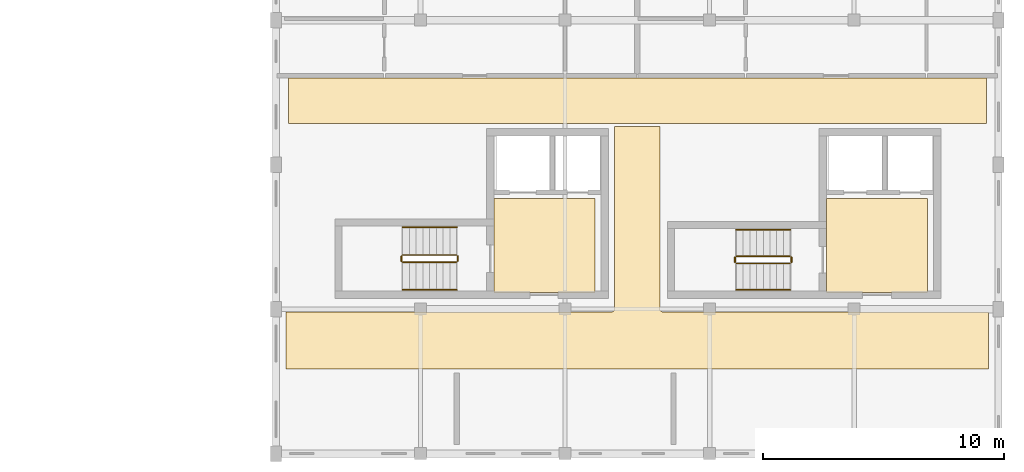
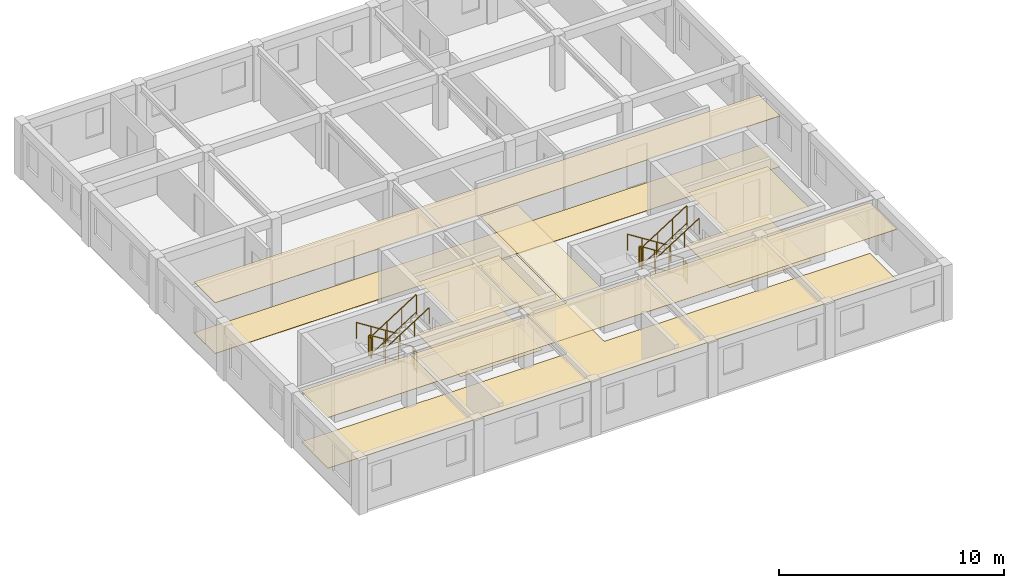
# One storey, part 13 of 13: 12 railings, 8 coverings.
"""IFC4 building model written with IfcOpenShell, lengths in metres."""

from ifc_helpers import new_model, si_unit, direction, frame, origin, origin_2d, place, context, subcontext, project, spatial, polyline, circle, outline, extrude, material, layer, layer_set, type_object, element, save


model = new_model("IFC4")

# Units and contexts
model_context = context("Model", 3, precision=1e-05, world=origin(), true_north=direction((0.0, 1.0)))
body_context = subcontext(model_context, "Body", "Model", "MODEL_VIEW")
ifc_project = project(units=[si_unit("LENGTHUNIT", "METRE"), si_unit("AREAUNIT", "SQUARE_METRE"), si_unit("VOLUMEUNIT", "CUBIC_METRE"), si_unit("PLANEANGLEUNIT", "RADIAN"), si_unit("MASSUNIT", "GRAM", prefix="KILO"), si_unit("POWERUNIT", "WATT"), si_unit("THERMODYNAMICTEMPERATUREUNIT", "KELVIN")], contexts=[model_context])

# Site, building, storey
site_placement = place(None, origin())
site = spatial("IfcSite", under=ifc_project, at=site_placement, CompositionType="ELEMENT")
building_placement = place(site_placement, origin())
building = spatial("IfcBuilding", under=site, at=building_placement, Name="Ruvembo Vaulted Housing Court", CompositionType="ELEMENT")
storey_placement = place(building_placement, frame((0.0, 0.0, 33.300048828125)))
storey = spatial("IfcBuildingStorey", under=building, at=storey_placement, Name="L10", CompositionType="ELEMENT", Elevation=33.300048828125)

# Coverings
ifc_material_1 = material(Name="Perforated Mineral-Fibre Acoustic Tile", Category="gypsum")
ifc_layer_1 = layer(ifc_material_1, 0.02001953125, Name="Perforated Mineral-Fibre Acoustic Tile")
ifc_layer_set_1 = layer_set([ifc_layer_1], Name="Perforated Mineral-Fibre Acoustic Tile")
covering_type_1 = type_object("IfcCoveringType", Name="COV-CEIL-ACOUST", PredefinedType="CEILING", material=ifc_layer_set_1)
covering_1_placement = place(storey_placement, frame((0.0, 0.0, 2.75)))
element("IfcCovering", 1, at=covering_1_placement, inside=storey, type_object=covering_type_1, Name="Protected Core Lobby B1 Ceiling", PredefinedType="CEILING", context=body_context, shape_type="SweptSolid", body=[
    extrude(outline(polyline([(61.25, 94.60009765625), (57.050048828125, 94.60009765625), (57.050048828125, 90.699951171875), (61.25, 90.699951171875), (61.25, 94.60009765625)])), origin(), (0.0, 0.0, 1.0), 0.02001953125),
])
covering_2_placement = place(storey_placement, frame((0.0, 0.0, 2.75)))
element("IfcCovering", 2, at=covering_2_placement, inside=storey, type_object=covering_type_1, Name="Protected Core Lobby B2 Ceiling", PredefinedType="CEILING", context=body_context, shape_type="SweptSolid", body=[
    extrude(outline(polyline([(75.050048828125, 94.60009765625), (70.85009765625, 94.60009765625), (70.85009765625, 90.699951171875), (75.050048828125, 90.699951171875), (75.050048828125, 94.60009765625)])), origin(), (0.0, 0.0, 1.0), 0.02001953125),
])
covering_3_placement = place(storey_placement, frame((0.0, 0.0, 2.75)))
element("IfcCovering", 3, at=covering_3_placement, inside=storey, type_object=covering_type_1, Name="Block B L10 Corridor Ceiling", PredefinedType="CEILING", context=body_context, shape_type="SweptSolid", body=[
    extrude(outline(polyline([(77.590087890625, 87.510009765625), (77.590087890625, 89.889892578125), (64.050048828125, 89.889892578125), (64.039306640625, 89.890380859375), (64.028564453125, 89.89208984375), (64.01806640625, 89.894775390625), (64.0078125, 89.8984375), (63.998046875, 89.903076171875), (63.989013671875, 89.908447265625), (63.980224609375, 89.9150390625), (63.97216796875, 89.922119140625), (63.965087890625, 89.93017578125), (63.95849609375, 89.93896484375), (63.952880859375, 89.947998046875), (63.948486328125, 89.9580078125), (63.944580078125, 89.968017578125), (63.942138671875, 89.978515625), (63.9404296875, 89.9892578125), (63.93994140625, 90.0), (63.93994140625, 97.590087890625), (62.06005859375, 97.590087890625), (62.06005859375, 90.0), (62.0595703125, 89.9892578125), (62.057861328125, 89.978515625), (62.055419921875, 89.968017578125), (62.051513671875, 89.9580078125), (62.047119140625, 89.947998046875), (62.04150390625, 89.93896484375), (62.034912109375, 89.93017578125), (62.02783203125, 89.922119140625), (62.019775390625, 89.9150390625), (62.010986328125, 89.908447265625), (62.001953125, 89.903076171875), (61.9921875, 89.8984375), (61.98193359375, 89.894775390625), (61.971435546875, 89.89208984375), (61.960693359375, 89.890380859375), (61.949951171875, 89.889892578125), (48.409912109375, 89.889892578125), (48.409912109375, 87.510009765625), (77.590087890625, 87.510009765625)])), origin(), (0.0, 0.0, 1.0), 0.02001953125),
])
covering_4_placement = place(storey_placement, frame((0.0, 0.0, 2.75)))
element("IfcCovering", 4, at=covering_4_placement, inside=storey, type_object=covering_type_1, Name="Block B L10 North Sub-Corridor Ceiling", PredefinedType="CEILING", context=body_context, shape_type="SweptSolid", body=[
    extrude(outline(polyline([(48.510009765625, 97.7099609375), (77.489990234375, 97.7099609375), (77.489990234375, 99.590087890625), (48.510009765625, 99.590087890625), (48.510009765625, 97.7099609375)])), origin(), (0.0, 0.0, 1.0), 0.02001953125),
])
ifc_material_2 = material(Name="Polished Cement-Aggregate Terrazzo", Category="stone")
ifc_layer_2 = layer(ifc_material_2, 0.02197265625, Name="Polished Cement-Aggregate Terrazzo")
ifc_layer_set_2 = layer_set([ifc_layer_2], Name="Polished Cement-Aggregate Terrazzo")
covering_type_2 = type_object("IfcCoveringType", Name="COV-FLR-CERAMIC", PredefinedType="FLOORING", material=ifc_layer_set_2)
covering_5_placement = place(storey_placement, origin())
element("IfcCovering", 5, at=covering_5_placement, inside=storey, type_object=covering_type_2, Name="Protected Core Lobby B1 Flooring", PredefinedType="FLOORING", context=body_context, shape_type="SweptSolid", body=[
    extrude(outline(polyline([(61.25, 94.60009765625), (57.050048828125, 94.60009765625), (57.050048828125, 90.699951171875), (61.25, 90.699951171875), (61.25, 94.60009765625)])), origin(), (0.0, 0.0, 1.0), 0.02197265625),
])
covering_6_placement = place(storey_placement, origin())
element("IfcCovering", 6, at=covering_6_placement, inside=storey, type_object=covering_type_2, Name="Protected Core Lobby B2 Flooring", PredefinedType="FLOORING", context=body_context, shape_type="SweptSolid", body=[
    extrude(outline(polyline([(75.050048828125, 94.60009765625), (70.85009765625, 94.60009765625), (70.85009765625, 90.699951171875), (75.050048828125, 90.699951171875), (75.050048828125, 94.60009765625)])), origin(), (0.0, 0.0, 1.0), 0.02197265625),
])
covering_7_placement = place(storey_placement, origin())
element("IfcCovering", 7, at=covering_7_placement, inside=storey, type_object=covering_type_2, Name="Block B L10 Corridor Flooring", PredefinedType="FLOORING", context=body_context, shape_type="SweptSolid", body=[
    extrude(outline(polyline([(77.590087890625, 87.510009765625), (77.590087890625, 89.889892578125), (64.050048828125, 89.889892578125), (64.039306640625, 89.890380859375), (64.028564453125, 89.89208984375), (64.01806640625, 89.894775390625), (64.0078125, 89.8984375), (63.998046875, 89.903076171875), (63.989013671875, 89.908447265625), (63.980224609375, 89.9150390625), (63.97216796875, 89.922119140625), (63.965087890625, 89.93017578125), (63.95849609375, 89.93896484375), (63.952880859375, 89.947998046875), (63.948486328125, 89.9580078125), (63.944580078125, 89.968017578125), (63.942138671875, 89.978515625), (63.9404296875, 89.9892578125), (63.93994140625, 90.0), (63.93994140625, 97.590087890625), (62.06005859375, 97.590087890625), (62.06005859375, 90.0), (62.0595703125, 89.9892578125), (62.057861328125, 89.978515625), (62.055419921875, 89.968017578125), (62.051513671875, 89.9580078125), (62.047119140625, 89.947998046875), (62.04150390625, 89.93896484375), (62.034912109375, 89.93017578125), (62.02783203125, 89.922119140625), (62.019775390625, 89.9150390625), (62.010986328125, 89.908447265625), (62.001953125, 89.903076171875), (61.9921875, 89.8984375), (61.98193359375, 89.894775390625), (61.971435546875, 89.89208984375), (61.960693359375, 89.890380859375), (61.949951171875, 89.889892578125), (48.409912109375, 89.889892578125), (48.409912109375, 87.510009765625), (77.590087890625, 87.510009765625)])), origin(), (0.0, 0.0, 1.0), 0.02197265625),
])
covering_8_placement = place(storey_placement, origin())
element("IfcCovering", 8, at=covering_8_placement, inside=storey, type_object=covering_type_2, Name="Block B L10 North Sub-Corridor Flooring", PredefinedType="FLOORING", context=body_context, shape_type="SweptSolid", body=[
    extrude(outline(polyline([(48.510009765625, 97.7099609375), (77.489990234375, 97.7099609375), (77.489990234375, 99.590087890625), (48.510009765625, 99.590087890625), (48.510009765625, 97.7099609375)])), origin(), (0.0, 0.0, 1.0), 0.02197265625),
])

# Railings
ifc_material_3 = material(Name="Painted Galvanised Steel S275", Category="steel")
ifc_layer_3 = layer(ifc_material_3, 0.06005859375, Name="Painted Galvanised Steel S275")
ifc_layer_set_3 = layer_set([ifc_layer_3], Name="Painted Galvanised Steel S275")
railing_type_1 = type_object("IfcRailingType", Name="RL-STAIR-GR1100", PredefinedType="GUARDRAIL", material=ifc_layer_set_3)
railing_1_placement = place(storey_placement, frame((55.5, 92.25, 0.177734375)))
element("IfcRailing", 9, at=railing_1_placement, inside=storey, type_object=railing_type_1, Name="L10 ST-B1 stair guard 1", PredefinedType="GUARDRAIL", context=body_context, shape_type="SweptSolid", body=[
    extrude(circle(Radius=0.02392578125, at=origin_2d()), frame((0.0, 0.0, 1.076171875), z_axis=(-0.8442293374, 0.0, 0.53598211339), x_axis=(0.0, -1.0, 0.0)), (0.0, 0.0, 1.0), 2.6533203125),
    extrude(circle(Radius=0.01806640625, at=origin_2d()), frame((0.0, 0.0, 0.1201171875), z_axis=(-0.8442293374, 0.0, 0.53598211339), x_axis=(0.0, -1.0, 0.0)), (0.0, 0.0, 1.0), 2.6533203125),
    extrude(circle(Radius=0.02099609375, at=origin_2d()), origin(), (0.0, 0.0, 1.0), 1.052001953125),
    extrude(circle(Radius=0.02099609375, at=origin_2d()), frame((-0.74658203125, 0.0, 0.47412109375)), (0.0, 0.0, 1.0), 1.052001953125),
    extrude(circle(Radius=0.02099609375, at=origin_2d()), frame((-1.493408203125, 0.0, 0.947998046875)), (0.0, 0.0, 1.0), 1.052001953125),
    extrude(circle(Radius=0.02099609375, at=origin_2d()), frame((-2.239990234375, 0.0, 1.422119140625)), (0.0, 0.0, 1.0), 1.052001953125),
])
railing_2_placement = place(storey_placement, frame((53.2099609375, 92.199951171875, 1.599853515625)))
element("IfcRailing", 10, at=railing_2_placement, inside=storey, type_object=railing_type_1, Name="L10 ST-B1 stair guard 2", PredefinedType="GUARDRAIL", context=body_context, shape_type="SweptSolid", body=[
    extrude(circle(Radius=0.02392578125, at=origin_2d()), frame((0.0, 0.0, 1.076171875), z_axis=(0.0, -1.0, 0.0), x_axis=(1.0, 0.0, 0.0)), (0.0, 0.0, 1.0), 0.199951171875),
    extrude(circle(Radius=0.01806640625, at=origin_2d()), frame((0.0, 0.0, 0.1201171875), z_axis=(0.0, -1.0, 0.0), x_axis=(1.0, 0.0, 0.0)), (0.0, 0.0, 1.0), 0.199951171875),
    extrude(circle(Radius=0.02099609375, at=origin_2d()), origin(), (0.0, 0.0, 1.0), 1.052001953125),
    extrude(circle(Radius=0.02099609375, at=origin_2d()), frame((0.0, -0.199951171875, 0.0)), (0.0, 0.0, 1.0), 1.052001953125),
])
railing_3_placement = place(storey_placement, frame((53.260009765625, 91.949951171875, 1.77783203125)))
element("IfcRailing", 11, at=railing_3_placement, inside=storey, type_object=railing_type_1, Name="L10 ST-B1 stair guard 3", PredefinedType="GUARDRAIL", context=body_context, shape_type="SweptSolid", body=[
    extrude(circle(Radius=0.02392578125, at=origin_2d()), frame((0.0, 0.0, 1.076171875), z_axis=(0.8442293374, 0.0, 0.53598211339), x_axis=(0.0, 1.0, 0.0)), (0.0, 0.0, 1.0), 2.6533203125),
    extrude(circle(Radius=0.01806640625, at=origin_2d()), frame((0.0, 0.0, 0.1201171875), z_axis=(0.8442293374, 0.0, 0.53598211339), x_axis=(0.0, 1.0, 0.0)), (0.0, 0.0, 1.0), 2.6533203125),
    extrude(circle(Radius=0.02099609375, at=origin_2d()), origin(), (0.0, 0.0, 1.0), 1.052001953125),
    extrude(circle(Radius=0.02099609375, at=origin_2d()), frame((0.74658203125, 0.0, 0.47412109375)), (0.0, 0.0, 1.0), 1.052001953125),
    extrude(circle(Radius=0.02099609375, at=origin_2d()), frame((1.493408203125, 0.0, 0.947998046875)), (0.0, 0.0, 1.0), 1.052001953125),
    extrude(circle(Radius=0.02099609375, at=origin_2d()), frame((2.239990234375, 0.0, 1.422119140625)), (0.0, 0.0, 1.0), 1.052001953125),
])
railing_4_placement = place(storey_placement, frame((55.550048828125, 92.199951171875, 0.0)))
element("IfcRailing", 12, at=railing_4_placement, inside=storey, type_object=railing_type_1, Name="L10 ST-B1 stair guard 4", PredefinedType="GUARDRAIL", context=body_context, shape_type="SweptSolid", body=[
    extrude(circle(Radius=0.02392578125, at=origin_2d()), frame((0.0, 0.0, 1.076171875), z_axis=(0.0, -1.0, 0.0), x_axis=(1.0, 0.0, 0.0)), (0.0, 0.0, 1.0), 0.199951171875),
    extrude(circle(Radius=0.01806640625, at=origin_2d()), frame((0.0, 0.0, 0.1201171875), z_axis=(0.0, -1.0, 0.0), x_axis=(1.0, 0.0, 0.0)), (0.0, 0.0, 1.0), 0.199951171875),
    extrude(circle(Radius=0.02099609375, at=origin_2d()), origin(), (0.0, 0.0, 1.0), 1.052001953125),
    extrude(circle(Radius=0.02099609375, at=origin_2d()), frame((0.0, -0.199951171875, 0.0)), (0.0, 0.0, 1.0), 1.052001953125),
])
railing_5_placement = place(storey_placement, frame((69.35009765625, 92.199951171875, 0.177734375)))
element("IfcRailing", 13, at=railing_5_placement, inside=storey, type_object=railing_type_1, Name="L10 ST-B2 stair guard 1", PredefinedType="GUARDRAIL", context=body_context, shape_type="SweptSolid", body=[
    extrude(circle(Radius=0.02392578125, at=origin_2d()), frame((0.0, 0.0, 1.076171875), z_axis=(-0.8442293374, 0.0, 0.53598211339), x_axis=(0.0, -1.0, 0.0)), (0.0, 0.0, 1.0), 2.6533203125),
    extrude(circle(Radius=0.01806640625, at=origin_2d()), frame((0.0, 0.0, 0.1201171875), z_axis=(-0.8442293374, 0.0, 0.53598211339), x_axis=(0.0, -1.0, 0.0)), (0.0, 0.0, 1.0), 2.6533203125),
    extrude(circle(Radius=0.02099609375, at=origin_2d()), origin(), (0.0, 0.0, 1.0), 1.052001953125),
    extrude(circle(Radius=0.02099609375, at=origin_2d()), frame((-0.74658203125, 0.0, 0.47412109375)), (0.0, 0.0, 1.0), 1.052001953125),
    extrude(circle(Radius=0.02099609375, at=origin_2d()), frame((-1.493408203125, 0.0, 0.947998046875)), (0.0, 0.0, 1.0), 1.052001953125),
    extrude(circle(Radius=0.02099609375, at=origin_2d()), frame((-2.239990234375, 0.0, 1.422119140625)), (0.0, 0.0, 1.0), 1.052001953125),
])
railing_6_placement = place(storey_placement, frame((67.06005859375, 92.14990234375, 1.599853515625)))
element("IfcRailing", 14, at=railing_6_placement, inside=storey, type_object=railing_type_1, Name="L10 ST-B2 stair guard 2", PredefinedType="GUARDRAIL", context=body_context, shape_type="SweptSolid", body=[
    extrude(circle(Radius=0.02392578125, at=origin_2d()), frame((0.0, 0.0, 1.076171875), z_axis=(0.0, -1.0, 0.0), x_axis=(1.0, 0.0, 0.0)), (0.0, 0.0, 1.0), 0.199951171875),
    extrude(circle(Radius=0.01806640625, at=origin_2d()), frame((0.0, 0.0, 0.1201171875), z_axis=(0.0, -1.0, 0.0), x_axis=(1.0, 0.0, 0.0)), (0.0, 0.0, 1.0), 0.199951171875),
    extrude(circle(Radius=0.02099609375, at=origin_2d()), origin(), (0.0, 0.0, 1.0), 1.052001953125),
    extrude(circle(Radius=0.02099609375, at=origin_2d()), frame((0.0, -0.199951171875, 0.0)), (0.0, 0.0, 1.0), 1.052001953125),
])
railing_7_placement = place(storey_placement, frame((67.110107421875, 91.89990234375, 1.77783203125)))
element("IfcRailing", 15, at=railing_7_placement, inside=storey, type_object=railing_type_1, Name="L10 ST-B2 stair guard 3", PredefinedType="GUARDRAIL", context=body_context, shape_type="SweptSolid", body=[
    extrude(circle(Radius=0.02392578125, at=origin_2d()), frame((0.0, 0.0, 1.076171875), z_axis=(0.8442293374, 0.0, 0.53598211339), x_axis=(0.0, 1.0, 0.0)), (0.0, 0.0, 1.0), 2.6533203125),
    extrude(circle(Radius=0.01806640625, at=origin_2d()), frame((0.0, 0.0, 0.1201171875), z_axis=(0.8442293374, 0.0, 0.53598211339), x_axis=(0.0, 1.0, 0.0)), (0.0, 0.0, 1.0), 2.6533203125),
    extrude(circle(Radius=0.02099609375, at=origin_2d()), origin(), (0.0, 0.0, 1.0), 1.052001953125),
    extrude(circle(Radius=0.02099609375, at=origin_2d()), frame((0.74658203125, 0.0, 0.47412109375)), (0.0, 0.0, 1.0), 1.052001953125),
    extrude(circle(Radius=0.02099609375, at=origin_2d()), frame((1.493408203125, 0.0, 0.947998046875)), (0.0, 0.0, 1.0), 1.052001953125),
    extrude(circle(Radius=0.02099609375, at=origin_2d()), frame((2.239990234375, 0.0, 1.422119140625)), (0.0, 0.0, 1.0), 1.052001953125),
])
railing_8_placement = place(storey_placement, frame((69.39990234375, 92.14990234375, 0.0)))
element("IfcRailing", 16, at=railing_8_placement, inside=storey, type_object=railing_type_1, Name="L10 ST-B2 stair guard 4", PredefinedType="GUARDRAIL", context=body_context, shape_type="SweptSolid", body=[
    extrude(circle(Radius=0.02392578125, at=origin_2d()), frame((0.0, 0.0, 1.076171875), z_axis=(0.0, -1.0, 0.0), x_axis=(1.0, 0.0, 0.0)), (0.0, 0.0, 1.0), 0.199951171875),
    extrude(circle(Radius=0.01806640625, at=origin_2d()), frame((0.0, 0.0, 0.1201171875), z_axis=(0.0, -1.0, 0.0), x_axis=(1.0, 0.0, 0.0)), (0.0, 0.0, 1.0), 0.199951171875),
    extrude(circle(Radius=0.02099609375, at=origin_2d()), origin(), (0.0, 0.0, 1.0), 1.052001953125),
    extrude(circle(Radius=0.02099609375, at=origin_2d()), frame((0.0, -0.199951171875, 0.0)), (0.0, 0.0, 1.0), 1.052001953125),
])
ifc_material_4 = material(Name="Brushed Stainless Steel 304", Category="steel")
ifc_layer_4 = layer(ifc_material_4, 0.050048828125, Name="Brushed Stainless Steel 304")
ifc_layer_set_4 = layer_set([ifc_layer_4], Name="Brushed Stainless Steel 304")
railing_type_2 = type_object("IfcRailingType", Name="RL-STAIR-HR920", PredefinedType="HANDRAIL", material=ifc_layer_set_4)
railing_9_placement = place(storey_placement, frame((55.5, 93.39990234375, 0.359130859375)))
element("IfcRailing", 17, at=railing_9_placement, inside=storey, type_object=railing_type_2, Name="L10 ST-B1 stair handrail 1", PredefinedType="HANDRAIL", context=body_context, shape_type="SweptSolid", body=[
    extrude(circle(Radius=0.02392578125, at=origin_2d()), frame((0.0, 0.0, 0.8759765625), z_axis=(-0.84418770128, 0.0, 0.536047689118), x_axis=(0.0, -1.0, 0.0)), (0.0, 0.0, 1.0), 2.6533203125),
    extrude(circle(Radius=0.02099609375, at=origin_2d()), origin(), (0.0, 0.0, 1.0), 0.851806640625),
    extrude(circle(Radius=0.02099609375, at=origin_2d()), frame((-0.74658203125, 0.0, 0.47412109375)), (0.0, 0.0, 1.0), 0.851806640625),
    extrude(circle(Radius=0.02099609375, at=origin_2d()), frame((-1.493408203125, 0.0, 0.9482421875)), (0.0, 0.0, 1.0), 0.851806640625),
    extrude(circle(Radius=0.02099609375, at=origin_2d()), frame((-2.239990234375, 0.0, 1.42236328125)), (0.0, 0.0, 1.0), 0.851806640625),
])
railing_10_placement = place(storey_placement, frame((53.260009765625, 90.800048828125, 1.959228515625)))
element("IfcRailing", 18, at=railing_10_placement, inside=storey, type_object=railing_type_2, Name="L10 ST-B1 stair handrail 2", PredefinedType="HANDRAIL", context=body_context, shape_type="SweptSolid", body=[
    extrude(circle(Radius=0.02392578125, at=origin_2d()), frame((0.0, 0.0, 0.8759765625), z_axis=(0.8442293374, 0.0, 0.53598211339), x_axis=(0.0, 1.0, 0.0)), (0.0, 0.0, 1.0), 2.6533203125),
    extrude(circle(Radius=0.02099609375, at=origin_2d()), origin(), (0.0, 0.0, 1.0), 0.851806640625),
    extrude(circle(Radius=0.02099609375, at=origin_2d()), frame((0.74658203125, 0.0, 0.47412109375)), (0.0, 0.0, 1.0), 0.851806640625),
    extrude(circle(Radius=0.02099609375, at=origin_2d()), frame((1.493408203125, 0.0, 0.947998046875)), (0.0, 0.0, 1.0), 0.851806640625),
    extrude(circle(Radius=0.02099609375, at=origin_2d()), frame((2.239990234375, 0.0, 1.422119140625)), (0.0, 0.0, 1.0), 0.851806640625),
])
railing_11_placement = place(storey_placement, frame((69.35009765625, 93.300048828125, 0.359130859375)))
element("IfcRailing", 19, at=railing_11_placement, inside=storey, type_object=railing_type_2, Name="L10 ST-B2 stair handrail 1", PredefinedType="HANDRAIL", context=body_context, shape_type="SweptSolid", body=[
    extrude(circle(Radius=0.02392578125, at=origin_2d()), frame((0.0, 0.0, 0.8759765625), z_axis=(-0.84418770128, 0.0, 0.536047689118), x_axis=(0.0, -1.0, 0.0)), (0.0, 0.0, 1.0), 2.6533203125),
    extrude(circle(Radius=0.02099609375, at=origin_2d()), origin(), (0.0, 0.0, 1.0), 0.851806640625),
    extrude(circle(Radius=0.02099609375, at=origin_2d()), frame((-0.74658203125, 0.0, 0.47412109375)), (0.0, 0.0, 1.0), 0.851806640625),
    extrude(circle(Radius=0.02099609375, at=origin_2d()), frame((-1.493408203125, 0.0, 0.9482421875)), (0.0, 0.0, 1.0), 0.851806640625),
    extrude(circle(Radius=0.02099609375, at=origin_2d()), frame((-2.239990234375, 0.0, 1.42236328125)), (0.0, 0.0, 1.0), 0.851806640625),
])
railing_12_placement = place(storey_placement, frame((67.110107421875, 90.800048828125, 1.959228515625)))
element("IfcRailing", 20, at=railing_12_placement, inside=storey, type_object=railing_type_2, Name="L10 ST-B2 stair handrail 2", PredefinedType="HANDRAIL", context=body_context, shape_type="SweptSolid", body=[
    extrude(circle(Radius=0.02392578125, at=origin_2d()), frame((0.0, 0.0, 0.8759765625), z_axis=(0.8442293374, 0.0, 0.53598211339), x_axis=(0.0, 1.0, 0.0)), (0.0, 0.0, 1.0), 2.6533203125),
    extrude(circle(Radius=0.02099609375, at=origin_2d()), origin(), (0.0, 0.0, 1.0), 0.851806640625),
    extrude(circle(Radius=0.02099609375, at=origin_2d()), frame((0.74658203125, 0.0, 0.47412109375)), (0.0, 0.0, 1.0), 0.851806640625),
    extrude(circle(Radius=0.02099609375, at=origin_2d()), frame((1.493408203125, 0.0, 0.947998046875)), (0.0, 0.0, 1.0), 0.851806640625),
    extrude(circle(Radius=0.02099609375, at=origin_2d()), frame((2.239990234375, 0.0, 1.422119140625)), (0.0, 0.0, 1.0), 0.851806640625),
])

save(model, "model.ifc")
